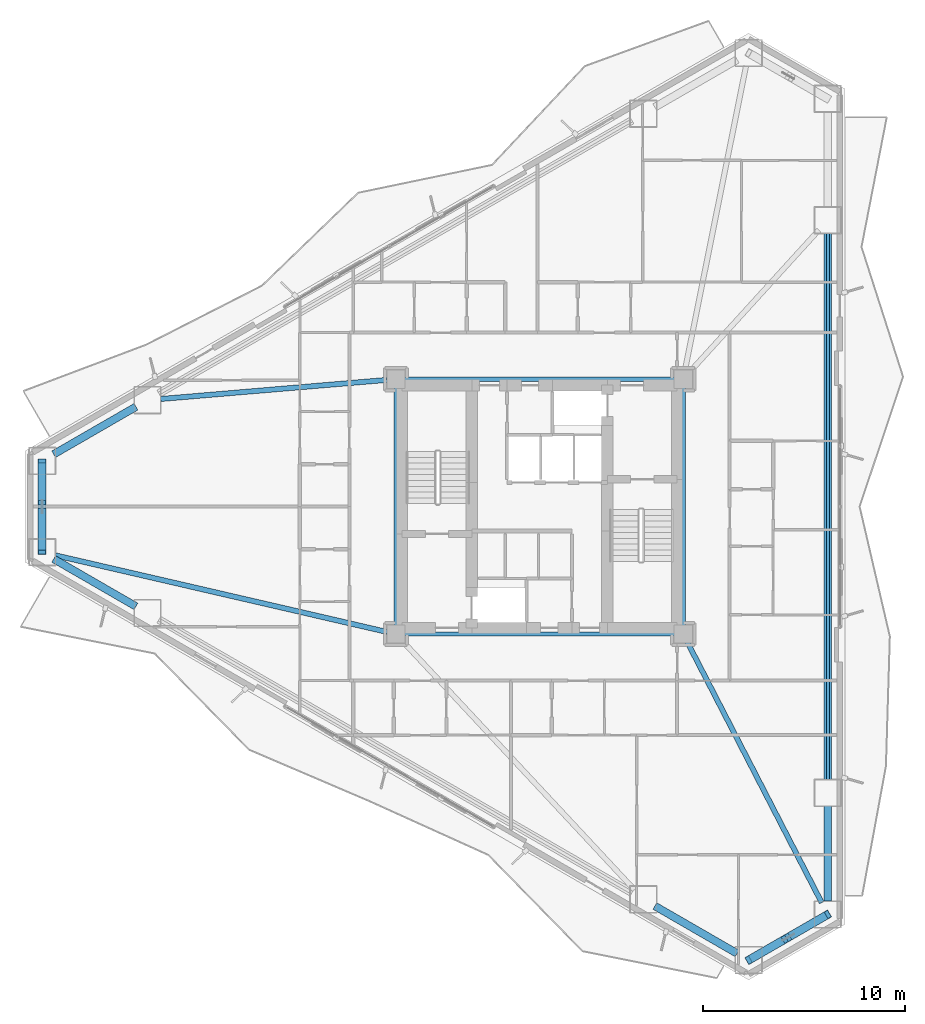
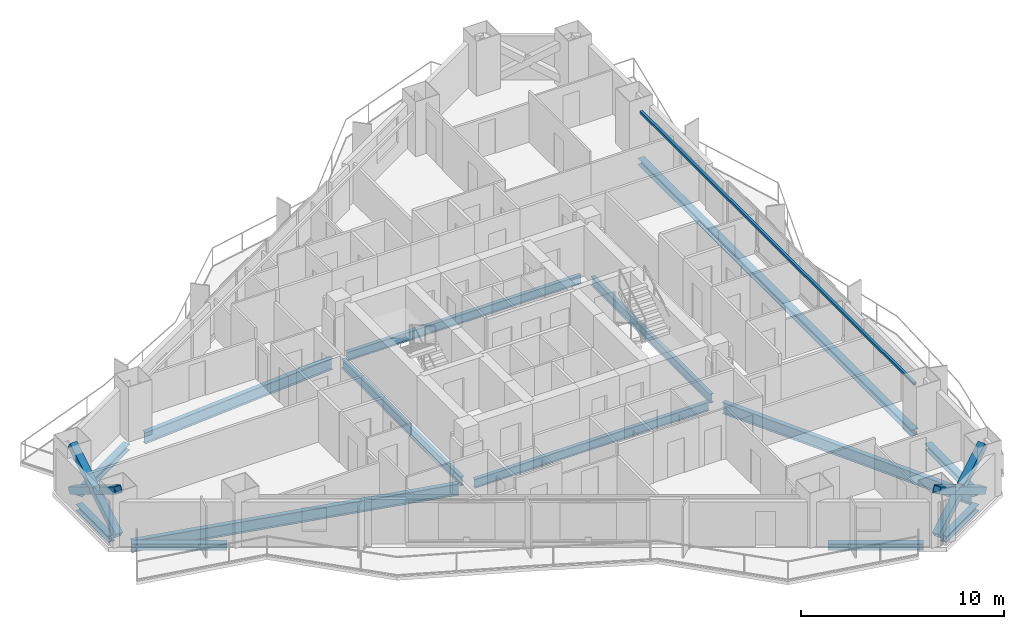
# One storey, part 5 of 18: 15 beams, 6 members.
"""IFC4 building model written with IfcOpenShell, lengths in metres."""

from ifc_helpers import new_model, si_unit, direction, frame, origin, origin_2d, place, context, subcontext, project, spatial, hollow_rectangle, i_section, extrude, material, material_profile, profile_set, type_object, element, save


model = new_model("IFC4")

# Units and contexts
model_context = context("Model", 3, precision=1e-05, world=origin(), true_north=direction((0.0, 1.0)))
body_context = subcontext(model_context, "Body", "Model", "MODEL_VIEW")
ifc_project = project(units=[si_unit("LENGTHUNIT", "METRE"), si_unit("AREAUNIT", "SQUARE_METRE"), si_unit("VOLUMEUNIT", "CUBIC_METRE"), si_unit("PLANEANGLEUNIT", "RADIAN"), si_unit("MASSUNIT", "GRAM", prefix="KILO")], contexts=[model_context])

# Site, building, storey
site_placement = place(None, origin())
site = spatial("IfcSite", under=ifc_project, at=site_placement, CompositionType="ELEMENT")
building_placement = place(site_placement, origin())
building = spatial("IfcBuilding", under=site, at=building_placement, Name="Mersakhor Tower and Convention Hall", CompositionType="ELEMENT")
storey_placement = place(building_placement, frame((0.0, 0.0, 35.699951171875)))
storey = spatial("IfcBuildingStorey", under=building, at=storey_placement, Name="L09", CompositionType="ELEMENT", Elevation=35.699951171875)

# Beams
ifc_material_1 = material(Name="Steel S355", Category="steel")
ifc_material_profile_1 = material_profile(ifc_material_1, i_section(OverallWidth=0.2099609375, OverallDepth=0.53662109375, WebThickness=0.0107421875, FlangeThickness=0.017333984375, at=origin_2d()), Name="UB 533x210x101")
ifc_profile_set_1 = profile_set([ifc_material_profile_1], Name="Steel S355")
beam_type_1 = type_object("IfcBeamType", Name="BM-FB-533", PredefinedType="BEAM", material=ifc_profile_set_1)
beam_1_placement = place(storey_placement, frame((21.89990234375, 20.8798828125, -0.5283203125), z_axis=(0.0, 1.0, 0.0), x_axis=(-1.0, 0.0, 0.0)))
element("IfcBeam", 1, at=beam_1_placement, inside=storey, type_object=beam_type_1, Name="L09 Core Ring Tie Beam CRB-1", PredefinedType="BEAM", context=body_context, shape_type="SweptSolid", body=[
    extrude(i_section(OverallWidth=0.2099609375, OverallDepth=0.53662109375, WebThickness=0.0107421875, FlangeThickness=0.017333984375, at=origin_2d()), origin(), (0.0, 0.0, 1.0), 11.740234375),
])
beam_2_placement = place(storey_placement, frame((22.330078125, 33.050048828125, -0.5283203125), z_axis=(1.0, 0.0, 0.0), x_axis=(0.0, 1.0, 0.0)))
element("IfcBeam", 2, at=beam_2_placement, inside=storey, type_object=beam_type_1, Name="L09 Core Ring Tie Beam CRB-2", PredefinedType="BEAM", context=body_context, shape_type="SweptSolid", body=[
    extrude(i_section(OverallWidth=0.2099609375, OverallDepth=0.53662109375, WebThickness=0.0107421875, FlangeThickness=0.017333984375, at=origin_2d()), origin(), (0.0, 0.0, 1.0), 13.33984375),
])
beam_3_placement = place(storey_placement, frame((36.10009765625, 32.6201171875, -0.5283203125), z_axis=(0.0, -1.0, 0.0), x_axis=(1.0, 0.0, 0.0)))
element("IfcBeam", 3, at=beam_3_placement, inside=storey, type_object=beam_type_1, Name="L09 Core Ring Tie Beam CRB-3", PredefinedType="BEAM", context=body_context, shape_type="SweptSolid", body=[
    extrude(i_section(OverallWidth=0.2099609375, OverallDepth=0.53662109375, WebThickness=0.0107421875, FlangeThickness=0.017333984375, at=origin_2d()), origin(), (0.0, 0.0, 1.0), 11.740234375),
])
beam_4_placement = place(storey_placement, frame((35.669921875, 20.449951171875, -0.5283203125), z_axis=(-1.0, 0.0, 0.0), x_axis=(0.0, -1.0, 0.0)))
element("IfcBeam", 4, at=beam_4_placement, inside=storey, type_object=beam_type_1, Name="L09 Core Ring Tie Beam CRB-4", PredefinedType="BEAM", context=body_context, shape_type="SweptSolid", body=[
    extrude(i_section(OverallWidth=0.2099609375, OverallDepth=0.53662109375, WebThickness=0.0107421875, FlangeThickness=0.017333984375, at=origin_2d()), origin(), (0.0, 0.0, 1.0), 13.33984375),
])
ifc_material_2 = material(Name="Steel S355", Category="steel")
ifc_material_profile_2 = material_profile(ifc_material_2, hollow_rectangle(XDim=0.14990234375, YDim=0.14990234375, WallThickness=0.010009765625, at=origin_2d()), Name="SHS 150x150x10")
ifc_profile_set_2 = profile_set([ifc_material_profile_2], Name="Steel S355")
beam_type_2 = type_object("IfcBeamType", Name="BM-GRT-SHS150", PredefinedType="USERDEFINED", material=ifc_profile_set_2)
beam_5_placement = place(storey_placement, frame((43.25, 40.24951171875, 2.47998046875), z_axis=(0.0, -1.0, 0.0), x_axis=(1.0, 0.0, 0.0)))
element("IfcBeam", 5, at=beam_5_placement, inside=storey, type_object=beam_type_2, Name="L09 Facade Support Girt GRT-F2", ObjectType="GIRT", PredefinedType="USERDEFINED", context=body_context, shape_type="SweptSolid", body=[
    extrude(hollow_rectangle(XDim=0.14990234375, YDim=0.14990234375, WallThickness=0.010009765625, at=origin_2d()), origin(), (0.0, 0.0, 1.0), 26.9990234375),
])
ifc_material_3 = material(Name="Steel S355", Category="steel")
ifc_material_profile_3 = material_profile(ifc_material_3, i_section(OverallWidth=0.25439453125, OverallDepth=0.6875, WebThickness=0.01318359375, FlangeThickness=0.02099609375, at=origin_2d()), Name="UB 686x254x152")
ifc_profile_set_3 = profile_set([ifc_material_profile_3], Name="Steel S355")
beam_type_3 = type_object("IfcBeamType", Name="BM-PR-686", PredefinedType="BEAM", material=ifc_profile_set_3)
beam_6_placement = place(storey_placement, frame((21.471435546875, 33.013916015625, -0.603759765625), z_axis=(-0.996458345442, -0.084087845732, 0.0), x_axis=(0.084087845732, -0.996458345442, 0.0)))
element("IfcBeam", 6, at=beam_6_placement, inside=storey, type_object=beam_type_3, Name="L09 Primary Floor Girder FG-1", PredefinedType="BEAM", context=body_context, shape_type="SweptSolid", body=[
    extrude(i_section(OverallWidth=0.25439453125, OverallDepth=0.6875, WebThickness=0.01318359375, FlangeThickness=0.02099609375, at=origin_2d()), origin(), (0.0, 0.0, 1.0), 11.241943359375),
])
beam_7_placement = place(storey_placement, frame((36.297119140625, 20.06787109375, -0.603759765625), z_axis=(0.458368239331, -0.888762373851, 0.0), x_axis=(0.888762373851, 0.458368239331, 0.0)))
element("IfcBeam", 7, at=beam_7_placement, inside=storey, type_object=beam_type_3, Name="L09 Primary Floor Girder FG-4", PredefinedType="BEAM", context=body_context, shape_type="SweptSolid", body=[
    extrude(i_section(OverallWidth=0.25439453125, OverallDepth=0.6875, WebThickness=0.01318359375, FlangeThickness=0.02099609375, at=origin_2d()), origin(), (0.0, 0.0, 1.0), 14.513671875),
])
beam_8_placement = place(storey_placement, frame((21.48095703125, 20.546875, -0.603759765625), z_axis=(-0.974327224334, 0.225136536175, 0.0), x_axis=(-0.225136536175, -0.974327224334, 0.0)))
element("IfcBeam", 8, at=beam_8_placement, inside=storey, type_object=beam_type_3, Name="L09 Primary Floor Girder FG-6", PredefinedType="BEAM", context=body_context, shape_type="SweptSolid", body=[
    extrude(i_section(OverallWidth=0.25439453125, OverallDepth=0.6875, WebThickness=0.01318359375, FlangeThickness=0.02099609375, at=origin_2d()), origin(), (0.0, 0.0, 1.0), 16.862548828125),
])
ifc_material_4 = material(Name="Steel S355", Category="steel")
ifc_material_profile_4 = material_profile(ifc_material_4, i_section(OverallWidth=0.374755859375, OverallDepth=0.37451171875, WebThickness=0.0166015625, FlangeThickness=0.027099609375, at=origin_2d()), Name="UC 356x368x202")
ifc_profile_set_4 = profile_set([ifc_material_profile_4], Name="Steel S355")
beam_type_4 = type_object("IfcBeamType", Name="BM-SPD-UC356", PredefinedType="SPANDREL", material=ifc_profile_set_4)
beam_9_placement = place(storey_placement, frame((4.980224609375, 29.3369140625, -0.447265625), z_axis=(0.86605407247, 0.499950341091, 0.0), x_axis=(-0.499950341091, 0.86605407247, 0.0)))
element("IfcBeam", 9, at=beam_9_placement, inside=storey, type_object=beam_type_4, Name="L09 Perimeter Spandrel Beam SPB-01", PredefinedType="SPANDREL", context=body_context, shape_type="SweptSolid", body=[
    extrude(i_section(OverallWidth=0.374755859375, OverallDepth=0.37451171875, WebThickness=0.0166015625, FlangeThickness=0.027099609375, at=origin_2d()), origin(), (0.0, 0.0, 1.0), 4.69873046875),
])
beam_10_placement = place(storey_placement, frame((43.25, 40.24951171875, -0.447265625), z_axis=(0.0, -1.0, 0.0), x_axis=(1.0, 0.0, 0.0)))
element("IfcBeam", 10, at=beam_10_placement, inside=storey, type_object=beam_type_4, Name="L09 Perimeter Spandrel Beam SPB-06", PredefinedType="SPANDREL", context=body_context, shape_type="SweptSolid", body=[
    extrude(i_section(OverallWidth=0.374755859375, OverallDepth=0.37451171875, WebThickness=0.0166015625, FlangeThickness=0.027099609375, at=origin_2d()), origin(), (0.0, 0.0, 1.0), 26.9990234375),
])
beam_11_placement = place(storey_placement, frame((43.25, 11.9404296875, -0.447265625), z_axis=(0.0, -1.0, 0.0), x_axis=(1.0, 0.0, 0.0)))
element("IfcBeam", 11, at=beam_11_placement, inside=storey, type_object=beam_type_4, Name="L09 Perimeter Spandrel Beam SPB-07", PredefinedType="SPANDREL", context=body_context, shape_type="SweptSolid", body=[
    extrude(i_section(OverallWidth=0.374755859375, OverallDepth=0.37451171875, WebThickness=0.0166015625, FlangeThickness=0.027099609375, at=origin_2d()), origin(), (0.0, 0.0, 1.0), 4.69873046875),
])
beam_12_placement = place(storey_placement, frame((42.682861328125, 6.25927734375, -0.447265625), z_axis=(-0.866038607556, -0.4999771297, 0.0), x_axis=(0.4999771297, -0.866038607556, 0.0)))
element("IfcBeam", 12, at=beam_12_placement, inside=storey, type_object=beam_type_4, Name="L09 Perimeter Spandrel Beam SPB-08", PredefinedType="SPANDREL", context=body_context, shape_type="SweptSolid", body=[
    extrude(i_section(OverallWidth=0.374755859375, OverallDepth=0.37451171875, WebThickness=0.0166015625, FlangeThickness=0.027099609375, at=origin_2d()), origin(), (0.0, 0.0, 1.0), 3.208740234375),
])
for number, where, z_axis, x_axis, name in (
    (13, (38.769775390625, 4.655029296875, -0.447265625), (-0.866031574723, 0.499989311469, 0.0), (-0.499989311469, -0.866031574723, 0.0), "L09 Perimeter Spandrel Beam SPB-09"),
    (14, (9.049560546875, 21.81396484375, -0.447265625), (-0.86605407247, 0.499950341091, 0.0), (-0.499950341091, -0.86605407247, 0.0), "L09 Perimeter Spandrel Beam SPB-11"),
):
    element("IfcBeam", number, at=place(storey_placement, frame(where, z_axis=z_axis, x_axis=x_axis)), inside=storey, type_object=beam_type_4, Name=name, PredefinedType="SPANDREL", context=body_context, shape_type="SweptSolid", body=[
        extrude(i_section(OverallWidth=0.374755859375, OverallDepth=0.37451171875, WebThickness=0.0166015625, FlangeThickness=0.027099609375, at=origin_2d()), origin(), (0.0, 0.0, 1.0), 4.69873046875),
    ])
beam_13_placement = place(storey_placement, frame((4.4130859375, 25.145751953125, -0.447265625), z_axis=(0.0, 1.0, 0.0), x_axis=(-1.0, 0.0, 0.0)))
element("IfcBeam", 15, at=beam_13_placement, inside=storey, type_object=beam_type_4, Name="L09 Perimeter Spandrel Beam SPB-12", PredefinedType="SPANDREL", context=body_context, shape_type="SweptSolid", body=[
    extrude(i_section(OverallWidth=0.374755859375, OverallDepth=0.37451171875, WebThickness=0.0166015625, FlangeThickness=0.027099609375, at=origin_2d()), origin(), (0.0, 0.0, 1.0), 3.20849609375),
])

# Members
ifc_material_5 = material(Name="Steel S460", Category="steel")
ifc_material_profile_5 = material_profile(ifc_material_5, hollow_rectangle(XDim=0.39990234375, YDim=0.39990234375, WallThickness=0.02490234375, at=origin_2d()), Name="SHS 400x400x25")
ifc_profile_set_5 = profile_set([ifc_material_profile_5], Name="Steel S460")
member_type = type_object("IfcMemberType", Name="MB-BRC-SHS400", PredefinedType="BRACE", material=ifc_profile_set_5)
member_1_placement = place(storey_placement, frame((43.25, 6.586669921875, 0.150146484375), z_axis=(-0.740507772322, -0.427542982597, 0.518512523632), x_axis=(0.500009315796, -0.86602002524, 0.0)))
element("IfcMember", 16, at=member_1_placement, inside=storey, type_object=member_type, Name="L09 Chamfer Braced Frame Diagonal CB-2A", PredefinedType="BRACE", context=body_context, shape_type="SweptSolid", body=[
    extrude(hollow_rectangle(XDim=0.39990234375, YDim=0.39990234375, WallThickness=0.02490234375, at=origin_2d()), origin(), (0.0, 0.0, 1.0), 5.284423828125),
])
for number, where, z_axis, x_axis, name in (
    (17, (39.3369140625, 4.327392578125, 0.150146484375), (0.740512106644, 0.427623949895, 0.518439560017), (-0.500078132948, 0.865980289006, 0.0), "L09 Chamfer Braced Frame Diagonal CB-2B Lower Half"),
    (18, (41.46630859375, 5.556884765625, 1.64111328125), (0.740505282886, 0.427518653602, 0.518536138413), (-0.499989236795, 0.866031617834, 0.0), "L09 Chamfer Braced Frame Diagonal CB-2B Upper Half"),
):
    element("IfcMember", number, at=place(storey_placement, frame(where, z_axis=z_axis, x_axis=x_axis)), inside=storey, type_object=member_type, Name=name, PredefinedType="BRACE", context=body_context, shape_type="SweptSolid", body=[
        extrude(hollow_rectangle(XDim=0.39990234375, YDim=0.39990234375, WallThickness=0.02490234375, at=origin_2d()), origin(), (0.0, 0.0, 1.0), 2.40869140625),
    ])
member_2_placement = place(storey_placement, frame((4.4130859375, 24.49072265625, 0.150146484375), z_axis=(0.0, 0.855074317009, 0.51850546033), x_axis=(-1.0, 0.0, 0.0)))
element("IfcMember", 19, at=member_2_placement, inside=storey, type_object=member_type, Name="L09 Chamfer Braced Frame Diagonal CB-3A", PredefinedType="BRACE", context=body_context, shape_type="SweptSolid", body=[
    extrude(hollow_rectangle(XDim=0.39990234375, YDim=0.39990234375, WallThickness=0.02490234375, at=origin_2d()), origin(), (0.0, 0.0, 1.0), 5.284423828125),
])
for number, where, z_axis, x_axis, name in (
    (20, (4.4130859375, 29.00927734375, 0.150146484375), (0.0, -0.855095703444, 0.518470190032), (1.0, 0.0, 0.0), "L09 Chamfer Braced Frame Diagonal CB-3B Lower Half"),
    (21, (4.4130859375, 26.55029296875, 1.64111328125), (0.0, -0.855050764291, 0.518544299444), (1.0, 0.0, 0.0), "L09 Chamfer Braced Frame Diagonal CB-3B Upper Half"),
):
    element("IfcMember", number, at=place(storey_placement, frame(where, z_axis=z_axis, x_axis=x_axis)), inside=storey, type_object=member_type, Name=name, PredefinedType="BRACE", context=body_context, shape_type="SweptSolid", body=[
        extrude(hollow_rectangle(XDim=0.39990234375, YDim=0.39990234375, WallThickness=0.02490234375, at=origin_2d()), origin(), (0.0, 0.0, 1.0), 2.40869140625),
    ])

save(model, "model.ifc")
